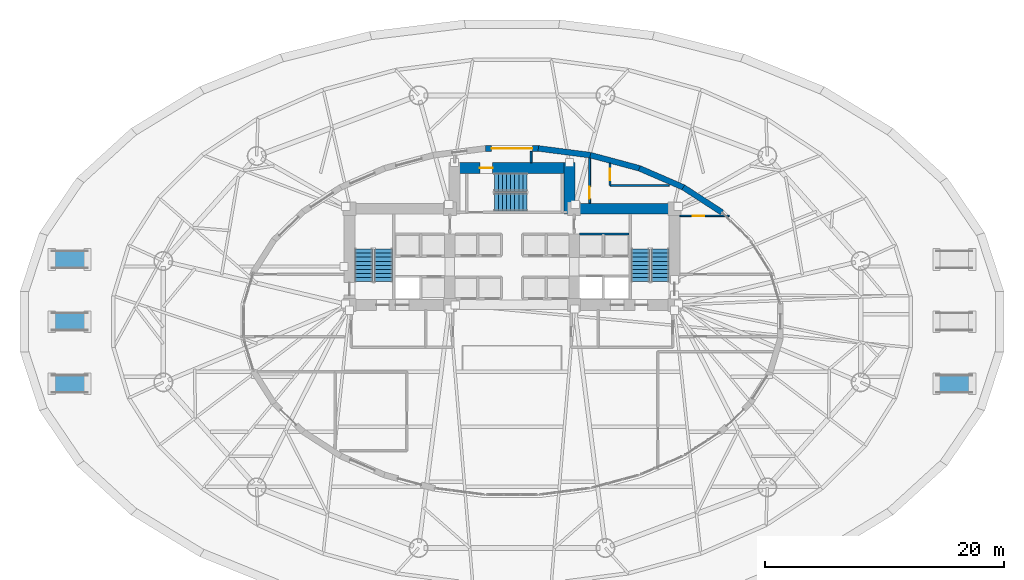
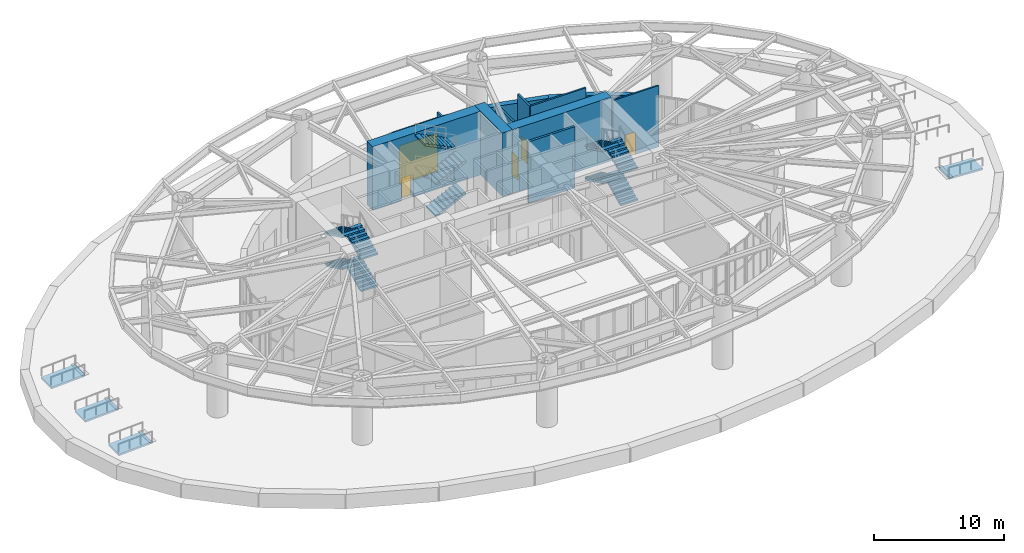
# One storey, part 16 of 21: 14 walls, 12 stair flights, 5 doors, 4 ramp flights, 5 openings, 7 elements without a shape of their own.
"""IFC4 building model written with IfcOpenShell, lengths in metres."""

from ifc_helpers import new_model, si_unit, direction, frame, frame_2d, origin, place, context, subcontext, project, spatial, polyline, rectangle, outline, extrude, material, layer, layer_set, type_object, element, fill, aggregate, save


model = new_model("IFC4")

# Units and contexts
model_context = context("Model", 3, precision=1e-05, world=origin(), true_north=direction((0.0, 1.0)))
body_context = subcontext(model_context, "Body", "Model", "MODEL_VIEW")
ifc_project = project(units=[si_unit("LENGTHUNIT", "METRE"), si_unit("AREAUNIT", "SQUARE_METRE"), si_unit("VOLUMEUNIT", "CUBIC_METRE"), si_unit("PLANEANGLEUNIT", "RADIAN"), si_unit("MASSUNIT", "GRAM", prefix="KILO")], contexts=[model_context])

# Site, building, storey
site_placement = place(None, origin())
site = spatial("IfcSite", under=ifc_project, at=site_placement, CompositionType="ELEMENT")
building_placement = place(site_placement, origin())
building = spatial("IfcBuilding", under=site, at=building_placement, Name="Keldmark Tower", CompositionType="ELEMENT")
storey_placement = place(building_placement, origin())
storey = spatial("IfcBuildingStorey", under=building, at=storey_placement, Name="L00", CompositionType="ELEMENT", Elevation=0.0)

# Wall, opening, door
ifc_material_1 = material(Name="Acoustic Gypsum Board Interior Partition", Category="gypsum")
ifc_layer_1 = layer(ifc_material_1, 0.1298828125)
ifc_layer_set_1 = layer_set([ifc_layer_1], Name="Acoustic Gypsum Board Interior Partition")
wall_type_1 = type_object("IfcWallType", Name="Interior Partition 130 mm", PredefinedType="PARTITIONING", material=ifc_layer_set_1)
wall_1_placement = place(storey_placement, frame((14.050048828125, 8.85009765625, 0.0), z_axis=(0.0, 0.0, 1.0), x_axis=(1.0, 0.0, 0.0)))
wall_1 = element("IfcWall", 1, at=wall_1_placement, inside=storey, type_object=wall_type_1, Name="L00 Interior Partition 130 mm CONCN-E-S", PredefinedType="PARTITIONING", context=body_context, shape_type="SweptSolid", body=[
    extrude(rectangle(XDim=4.114990234375, YDim=0.1298828125, at=frame_2d((2.0576171875, 0.0))), origin(), (0.0, 0.0, 1.0), 5.780029296875),
])
opening_1_placement = place(wall_1_placement, frame((1.080078125, 0.0, 0.0)))
opening_1 = element("IfcOpeningElement", 2, at=opening_1_placement, cuts=wall_1, Name="Opening D-AWC95", PredefinedType="OPENING", context=body_context, shape_type="SweptSolid", body=[
    extrude(rectangle(XDim=0.949951171875, YDim=2.14990234375, at=frame_2d((0.47509765625, 1.074951171875))), frame((0.0, 0.074951171875, 0.0), z_axis=(0.0, -1.0, 0.0), x_axis=(1.0, 0.0, 0.0)), (0.0, 0.0, 1.0), 0.14990234375),
])
ifc_material_2 = material(Name="Painted Solid-Core Architectural Wood", Category="wood")
door_type_1 = type_object("IfcDoorType", Name="Accessible WC Door 950x2150", OperationType="NOTDEFINED", PredefinedType="DOOR", material=ifc_material_2)
door_1_placement = place(opening_1_placement, origin())
door_1 = element("IfcDoor", 3, at=door_1_placement, inside=storey, type_object=door_type_1, Name="L00 Accessible WC Door 950x2150 D-CONCN-E-L00", OperationType="SINGLE_SWING_RIGHT", OverallHeight=2.14990234375, OverallWidth=0.949951171875, PredefinedType="DOOR", context=body_context, shape_type="SweptSolid", body=[
    extrude(rectangle(XDim=0.949951171875, YDim=2.14990234375, at=frame_2d((0.47509765625, 1.074951171875))), frame((0.0, 0.02490234375, 0.0), z_axis=(0.0, -1.0, 0.0), x_axis=(1.0, 0.0, 0.0)), (0.0, 0.0, 1.0), 0.050048828125),
])
fill(opening_1, door_1)

# Wall
ifc_material_3 = material(Name="Concrete C70/85", Category="concrete")
ifc_layer_2 = layer(ifc_material_3, 0.89990234375)
ifc_layer_set_2 = layer_set([ifc_layer_2], Name="Concrete C70/85")
wall_type_2 = type_object("IfcWallType", Name="Lower Core Shear Wall 900 mm", PredefinedType="SHEAR", material=ifc_layer_set_2)
wall_2_placement = place(storey_placement, frame((4.35009765625, 9.449951171875, 0.0), z_axis=(0.0, 0.0, 1.0), x_axis=(1.0, 0.0, 0.0)))
element("IfcWall", 4, at=wall_2_placement, inside=storey, type_object=wall_type_2, Name="L00 East Core North Shear Wall", PredefinedType="SHEAR", context=body_context, shape_type="SweptSolid", body=[
    extrude(rectangle(XDim=9.699951171875, YDim=0.89990234375, at=frame_2d((4.85009765625, 0.0))), origin(), (0.0, 0.0, 1.0), 6.0),
])

# Wall, opening, door
wall_3_placement = place(storey_placement, frame((-5.25, 12.85009765625, 0.0), z_axis=(0.0, 0.0, 1.0), x_axis=(1.0, 0.0, 0.0)))
wall_3 = element("IfcWall", 5, at=wall_3_placement, inside=storey, type_object=wall_type_2, Name="L00 North Core Shear Wall", PredefinedType="SHEAR", context=body_context, shape_type="SweptSolid", body=[
    extrude(rectangle(XDim=10.5, YDim=0.89990234375, at=frame_2d((5.25, 0.0))), origin(), (0.0, 0.0, 1.0), 6.0),
])
opening_2_placement = place(wall_3_placement, frame((2.570068359375, 0.0, 0.0)))
opening_2 = element("IfcOpeningElement", 6, at=opening_2_placement, cuts=wall_3, Name="Opening D-ST105", PredefinedType="OPENING", context=body_context, shape_type="SweptSolid", body=[
    extrude(rectangle(XDim=1.050048828125, YDim=2.14990234375, at=frame_2d((0.52490234375, 1.074951171875))), frame((0.0, 0.4599609375, 0.0), z_axis=(0.0, -1.0, 0.0), x_axis=(1.0, 0.0, 0.0)), (0.0, 0.0, 1.0), 0.919921875),
])
ifc_material_4 = material(Name="Hollow Metal Fire-Rated Door Assembly", Category="metal")
door_type_2 = type_object("IfcDoorType", Name="Stair Fire Door 1050x2150", OperationType="NOTDEFINED", PredefinedType="DOOR", material=ifc_material_4)
door_2_placement = place(opening_2_placement, origin())
door_2 = element("IfcDoor", 7, at=door_2_placement, inside=storey, type_object=door_type_2, Name="L00 Stair Fire Door 1050x2150 D-ST3-EXN-L00", OperationType="SINGLE_SWING_RIGHT", OverallHeight=2.14990234375, OverallWidth=1.050048828125, PredefinedType="DOOR", context=body_context, shape_type="SweptSolid", body=[
    extrude(rectangle(XDim=1.050048828125, YDim=2.14990234375, at=frame_2d((0.52490234375, 1.074951171875))), frame((0.0, 0.02490234375, 0.0), z_axis=(0.0, -1.0, 0.0), x_axis=(1.0, 0.0, 0.0)), (0.0, 0.0, 1.0), 0.050048828125),
])
fill(opening_2, door_2)

# Walls
wall_4_placement = place(storey_placement, frame((4.800048828125, 9.0, 0.0), z_axis=(0.0, 0.0, 1.0), x_axis=(0.0, 1.0, 0.0)))
element("IfcWall", 8, at=wall_4_placement, inside=storey, type_object=wall_type_2, Name="L00 North Core East Shear Wall", PredefinedType="SHEAR", context=body_context, shape_type="SweptSolid", body=[
    extrude(rectangle(XDim=4.300048828125, YDim=0.89990234375, at=frame_2d((2.14990234375, 0.0))), origin(), (0.0, 0.0, 1.0), 6.0),
])
ifc_material_5 = material(Name="Ironspot Manganese Brick and Kasota Buff Limestone Cavity Assembly", Category="masonry")
ifc_layer_3 = layer(ifc_material_5, 0.47998046875)
ifc_layer_set_3 = layer_set([ifc_layer_3], Name="Ironspot Manganese Brick and Kasota Buff Limestone Cavity Assembly")
wall_type_3 = type_object("IfcWallType", Name="Podium Brick and Limestone Cavity Wall 480 mm", PredefinedType="STANDARD", material=ifc_layer_set_3)
wall_5_placement = place(storey_placement, frame((14.33349609375, 11.2392578125, 0.0), z_axis=(0.0, 0.0, 1.0), x_axis=(0.838764450243, -0.54449444167, 0.0)))
element("IfcWall", 9, at=wall_5_placement, inside=storey, type_object=wall_type_3, Name="L00 Wintergarden Brick Pier Wall 04", PredefinedType="STANDARD", context=body_context, shape_type="SweptSolid", body=[
    extrude(rectangle(XDim=3.85791015625, YDim=0.47998046875, at=frame_2d((1.928955078125, 0.0))), origin(), (0.0, 0.0, 1.0), 4.9130859375),
])
wall_6_placement = place(storey_placement, frame((10.65234375, 12.832275390625, 0.0), z_axis=(0.0, 0.0, 1.0), x_axis=(0.917428047281, -0.3979017191, 0.0)))
element("IfcWall", 10, at=wall_6_placement, inside=storey, type_object=wall_type_3, Name="L00 Wintergarden Brick Pier Wall 05", PredefinedType="STANDARD", context=body_context, shape_type="SweptSolid", body=[
    extrude(rectangle(XDim=4.05078125, YDim=0.47998046875, at=frame_2d((2.025390625, 0.0))), origin(), (0.0, 0.0, 1.0), 4.9130859375),
])
wall_7_placement = place(storey_placement, frame((6.55615234375, 13.930908203125, 0.0), z_axis=(0.0, 0.0, 1.0), x_axis=(0.965698398437, -0.259666330619, 0.0)))
element("IfcWall", 11, at=wall_7_placement, inside=storey, type_object=wall_type_3, Name="L00 Wintergarden Brick Pier Wall 06", PredefinedType="STANDARD", context=body_context, shape_type="SweptSolid", body=[
    extrude(rectangle(XDim=4.276123046875, YDim=0.47998046875, at=frame_2d((2.13818359375, 0.0))), origin(), (0.0, 0.0, 1.0), 4.9130859375),
])
wall_8_placement = place(storey_placement, frame((2.2041015625, 14.49072265625, 0.0), z_axis=(0.0, 0.0, 1.0), x_axis=(0.99177017627, -0.128030923847, 0.0)))
element("IfcWall", 12, at=wall_8_placement, inside=storey, type_object=wall_type_3, Name="L00 Wintergarden Brick Pier Wall 07", PredefinedType="STANDARD", context=body_context, shape_type="SweptSolid", body=[
    extrude(rectangle(XDim=4.420166015625, YDim=0.47998046875, at=frame_2d((2.2099609375, 0.0))), origin(), (0.0, 0.0, 1.0), 4.9130859375),
])

# Wall, opening, door
wall_9_placement = place(storey_placement, frame((-2.23486328125, 14.48876953125, 0.0), z_axis=(0.0, 0.0, 1.0), x_axis=(1.0, 0.0, 0.0)))
wall_9 = element("IfcWall", 13, at=wall_9_placement, inside=storey, type_object=wall_type_3, Name="L00 Wintergarden Brick Pier Wall 08", PredefinedType="STANDARD", context=body_context, shape_type="SweptSolid", body=[
    extrude(rectangle(XDim=4.4697265625, YDim=0.47998046875, at=frame_2d((2.23486328125, 0.0))), origin(), (0.0, 0.0, 1.0), 4.9130859375),
])
opening_3_placement = place(wall_9_placement, frame((0.534912109375, 0.0, 0.0)))
opening_3 = element("IfcOpeningElement", 14, at=opening_3_placement, cuts=wall_9, Name="Opening GD-01", PredefinedType="OPENING", context=body_context, shape_type="SweptSolid", body=[
    extrude(rectangle(XDim=3.39990234375, YDim=3.60009765625, at=frame_2d((1.699951171875, 1.800048828125))), frame((0.0, 0.25, 0.0), z_axis=(0.0, -1.0, 0.0), x_axis=(1.0, 0.0, 0.0)), (0.0, 0.0, 1.0), 0.5),
])
ifc_material_6 = material(Name="Galvanized Insulated Metal", Category="metal")
door_type_3 = type_object("IfcDoorType", Name="Loading Dock Coiling Shutter Gate 3400x3600", OperationType="ROLLINGUP", PredefinedType="GATE", material=ifc_material_6)
door_3_placement = place(opening_3_placement, origin())
door_3 = element("IfcDoor", 15, at=door_3_placement, inside=storey, type_object=door_type_3, Name="L00 North Service Bay Coiling Shutter Gate", OperationType="ROLLINGUP", OverallHeight=3.60009765625, OverallWidth=3.39990234375, PredefinedType="GATE", context=body_context, shape_type="SweptSolid", body=[
    extrude(rectangle(XDim=3.39990234375, YDim=3.60009765625, at=frame_2d((1.699951171875, 1.800048828125))), frame((0.0, 0.02490234375, 0.0), z_axis=(0.0, -1.0, 0.0), x_axis=(1.0, 0.0, 0.0)), (0.0, 0.0, 1.0), 0.050048828125),
])
fill(opening_3, door_3)

# Wall
ifc_material_7 = material(Name="Type X Fire-Rated Gypsum Partition Assembly", Category="gypsum")
ifc_layer_4 = layer(ifc_material_7, 0.1650390625)
ifc_layer_set_4 = layer_set([ifc_layer_4], Name="Type X Fire-Rated Gypsum Partition Assembly")
wall_type_4 = type_object("IfcWallType", Name="Rated Partition 165 mm", PredefinedType="PARTITIONING", material=ifc_layer_set_4)
wall_10_placement = place(storey_placement, frame((1.60009765625, 13.31005859375, 0.0), z_axis=(0.0, 0.0, 1.0), x_axis=(0.0, 1.0, 0.0)))
element("IfcWall", 16, at=wall_10_placement, inside=storey, type_object=wall_type_4, Name="L00 Rated Partition 165 mm EXN-E", PredefinedType="PARTITIONING", context=body_context, shape_type="SweptSolid", body=[
    extrude(rectangle(XDim=0.9306640625, YDim=0.1650390625, at=frame_2d((0.46533203125, 0.0))), origin(), (0.0, 0.0, 1.0), 5.780029296875),
])

# Wall, opening, door
wall_11_placement = place(storey_placement, frame((6.5, 9.919921875, 0.0), z_axis=(0.0, 0.0, 1.0), x_axis=(0.0, 1.0, 0.0)))
wall_11 = element("IfcWall", 17, at=wall_11_placement, inside=storey, type_object=wall_type_4, Name="L00 Rated Partition 165 mm DOCK-E", PredefinedType="PARTITIONING", context=body_context, shape_type="SweptSolid", body=[
    extrude(rectangle(XDim=3.76611328125, YDim=0.1650390625, at=frame_2d((1.883056640625, 0.0))), origin(), (0.0, 0.0, 1.0), 5.14794921875),
])
opening_4_placement = place(wall_11_placement, frame((0.35009765625, 0.0, 0.0)))
opening_4 = element("IfcOpeningElement", 18, at=opening_4_placement, cuts=wall_11, Name="Opening D-FD100", PredefinedType="OPENING", context=body_context, shape_type="SweptSolid", body=[
    extrude(rectangle(XDim=1.0, YDim=2.14990234375, at=frame_2d((0.5, 1.074951171875))), frame((0.0, 0.092529296875, 0.0), z_axis=(0.0, -1.0, 0.0), x_axis=(1.0, 0.0, 0.0)), (0.0, 0.0, 1.0), 0.18505859375),
])
ifc_material_8 = material(Name="Hollow Metal Fire-Rated Corridor Door", Category="metal")
door_type_4 = type_object("IfcDoorType", Name="Fire Door 1000x2150", OperationType="NOTDEFINED", PredefinedType="DOOR", material=ifc_material_8)
door_4_placement = place(opening_4_placement, origin())
door_4 = element("IfcDoor", 19, at=door_4_placement, inside=storey, type_object=door_type_4, Name="L00 Fire Door 1000x2150 D-DOCK-E-L00", OperationType="SINGLE_SWING_RIGHT", OverallHeight=2.14990234375, OverallWidth=1.0, PredefinedType="DOOR", context=body_context, shape_type="SweptSolid", body=[
    extrude(rectangle(XDim=1.0, YDim=2.14990234375, at=frame_2d((0.5, 1.074951171875))), frame((0.0, 0.02490234375, 0.0), z_axis=(0.0, -1.0, 0.0), x_axis=(1.0, 0.0, 0.0)), (0.0, 0.0, 1.0), 0.050048828125),
])
fill(opening_4, door_4)

# Walls
ifc_material_9 = material(Name="Fire-Resistant Type X Gypsum Shaftliner Coreboard", Category="gypsum")
ifc_layer_5 = layer(ifc_material_9, 0.199951171875)
ifc_layer_set_5 = layer_set([ifc_layer_5], Name="Fire-Resistant Type X Gypsum Shaftliner Coreboard")
wall_type_5 = type_object("IfcWallType", Name="Shaft Wall 200 mm", PredefinedType="SOLIDWALL", material=ifc_layer_set_5)
wall_12_placement = place(storey_placement, frame((5.64990234375, 7.330078125, 0.0), z_axis=(0.0, 0.0, 1.0), x_axis=(1.0, 0.0, 0.0)))
element("IfcWall", 20, at=wall_12_placement, inside=storey, type_object=wall_type_5, Name="L00 Shaft Wall 200 mm HW-E-TOP", PredefinedType="SOLIDWALL", context=body_context, shape_type="SweptSolid", body=[
    extrude(rectangle(XDim=4.130126953125, YDim=0.199951171875, at=frame_2d((2.06494140625, 0.0))), origin(), (0.0, 0.0, 1.0), 5.780029296875),
])
ifc_material_10 = material(Name="Moisture-Resistant Gypsum Plumbing Partition", Category="gypsum")
ifc_layer_6 = layer(ifc_material_10, 0.14990234375)
ifc_layer_set_6 = layer_set([ifc_layer_6], Name="Moisture-Resistant Gypsum Plumbing Partition")
wall_type_6 = type_object("IfcWallType", Name="Wet Wall 150 mm", PredefinedType="PLUMBINGWALL", material=ifc_layer_set_6)
wall_13_placement = place(storey_placement, frame((8.199951171875, 11.39990234375, 0.0), z_axis=(0.0, 0.0, 1.0), x_axis=(1.0, 0.0, 0.0)))
element("IfcWall", 21, at=wall_13_placement, inside=storey, type_object=wall_type_6, Name="L00 Wet Wall 150 mm WC-L00-S", PredefinedType="PLUMBINGWALL", context=body_context, shape_type="SweptSolid", body=[
    extrude(rectangle(XDim=4.94287109375, YDim=0.14990234375, at=frame_2d((2.471435546875, 0.0))), origin(), (0.0, 0.0, 1.0), 5.780029296875),
])

# Wall, opening, door
wall_14_placement = place(storey_placement, frame((8.199951171875, 11.39990234375, 0.0), z_axis=(0.0, 0.0, 1.0), x_axis=(0.0, 1.0, 0.0)))
wall_14 = element("IfcWall", 22, at=wall_14_placement, inside=storey, type_object=wall_type_6, Name="L00 Wet Wall 150 mm WC-L00-W", PredefinedType="PLUMBINGWALL", context=body_context, shape_type="SweptSolid", body=[
    extrude(rectangle(XDim=1.832275390625, YDim=0.14990234375, at=frame_2d((0.916015625, 0.0))), origin(), (0.0, 0.0, 1.0), 5.780029296875),
])
opening_5_placement = place(wall_14_placement, frame((0.449951171875, 0.0, 0.0)))
opening_5 = element("IfcOpeningElement", 23, at=opening_5_placement, cuts=wall_14, Name="Opening D-AWC95", PredefinedType="OPENING", context=body_context, shape_type="SweptSolid", body=[
    extrude(rectangle(XDim=0.949951171875, YDim=2.14990234375, at=frame_2d((0.47509765625, 1.074951171875))), frame((0.0, 0.0849609375, 0.0), z_axis=(0.0, -1.0, 0.0), x_axis=(1.0, 0.0, 0.0)), (0.0, 0.0, 1.0), 0.169921875),
])
door_5_placement = place(opening_5_placement, origin())
door_5 = element("IfcDoor", 24, at=door_5_placement, inside=storey, type_object=door_type_1, Name="L00 Accessible WC Door 950x2150 D-WCL00-L00", OperationType="SINGLE_SWING_RIGHT", OverallHeight=2.14990234375, OverallWidth=0.949951171875, PredefinedType="DOOR", context=body_context, shape_type="SweptSolid", body=[
    extrude(rectangle(XDim=0.949951171875, YDim=2.14990234375, at=frame_2d((0.47509765625, 1.074951171875))), frame((0.0, 0.02490234375, 0.0), z_axis=(0.0, -1.0, 0.0), x_axis=(1.0, 0.0, 0.0)), (0.0, 0.0, 1.0), 0.050048828125),
])
fill(opening_5, door_5)

# Stair, stair flights
ifc_material_11 = material(Name="Concrete C40/50", Category="concrete")
stair_type = type_object("IfcStairType", Name="Precast Concrete Core Exit Stair", PredefinedType="HALF_TURN_STAIR", material=ifc_material_11)
stair_1_placement = place(storey_placement, origin())
stair_1 = element("IfcStair", 25, at=stair_1_placement, inside=storey, type_object=stair_type, Name="L00 Exit Stair ST1", PredefinedType="HALF_TURN_STAIR")
ifc_material_12 = material(Name="Concrete C40/50", Category="concrete")
stair_flight_type = type_object("IfcStairFlightType", Name="Precast Concrete Stair Flight 1500 mm", PredefinedType="STRAIGHT", material=ifc_material_12)
stair_flight_1_placement = place(storey_placement, frame((-10.75, 3.35009765625, 0.0), z_axis=(0.0, 0.0, 1.0), x_axis=(0.0, 1.0, 0.0)))
stair_flight_1 = element("IfcStairFlight", 26, at=stair_flight_1_placement, type_object=stair_flight_type, Name="ST1 flight 1", NumberOfRisers=9, NumberOfTreads=8, PredefinedType="STRAIGHT", RiserHeight=0.166666667, TreadLength=0.34, context=body_context, shape_type="SweptSolid", body=[
    extrude(outline(polyline([(0.0, 0.0), (0.0, 0.166748046875), (0.340087890625, 0.166748046875), (0.340087890625, 0.333251953125), (0.679931640625, 0.333251953125), (0.679931640625, 0.5), (1.02001953125, 0.5), (1.02001953125, 0.666748046875), (1.360107421875, 0.666748046875), (1.360107421875, 0.833251953125), (1.699951171875, 0.833251953125), (1.699951171875, 1.0), (2.0400390625, 1.0), (2.0400390625, 1.166748046875), (2.3798828125, 1.166748046875), (2.3798828125, 1.333251953125), (2.719970703125, 1.333251953125), (2.719970703125, 1.5), (2.719970703125, 1.16650390625), (0.340576171875, 0.0), (0.0, 0.0)])), frame((0.0, 0.75, 0.0), z_axis=(0.0, -1.0, 0.0), x_axis=(1.0, 0.0, 0.0)), (0.0, 0.0, 1.0), 1.5),
])
stair_flight_2_placement = place(storey_placement, frame((-12.39990234375, 6.070068359375, 1.5), z_axis=(0.0, 0.0, 1.0), x_axis=(0.0, -1.0, 0.0)))
stair_flight_2 = element("IfcStairFlight", 27, at=stair_flight_2_placement, type_object=stair_flight_type, Name="ST1 flight 2", NumberOfRisers=9, NumberOfTreads=8, PredefinedType="STRAIGHT", RiserHeight=0.166666667, TreadLength=0.34, context=body_context, shape_type="SweptSolid", body=[
    extrude(outline(polyline([(0.0, 0.0), (0.0, 0.166748046875), (0.340087890625, 0.166748046875), (0.340087890625, 0.333251953125), (0.679931640625, 0.333251953125), (0.679931640625, 0.5), (1.02001953125, 0.5), (1.02001953125, 0.666748046875), (1.360107421875, 0.666748046875), (1.360107421875, 0.833251953125), (1.699951171875, 0.833251953125), (1.699951171875, 1.0), (2.0400390625, 1.0), (2.0400390625, 1.166748046875), (2.3798828125, 1.166748046875), (2.3798828125, 1.333251953125), (2.719970703125, 1.333251953125), (2.719970703125, 1.5), (2.719970703125, 1.16650390625), (0.340576171875, 0.0), (0.0, 0.0)])), frame((0.0, 0.75, 0.0), z_axis=(0.0, -1.0, 0.0), x_axis=(1.0, 0.0, 0.0)), (0.0, 0.0, 1.0), 1.5),
])
stair_flight_3_placement = place(storey_placement, frame((-10.75, 3.35009765625, 3.0), z_axis=(0.0, 0.0, 1.0), x_axis=(0.0, 1.0, 0.0)))
stair_flight_3 = element("IfcStairFlight", 28, at=stair_flight_3_placement, type_object=stair_flight_type, Name="ST1 flight 3", NumberOfRisers=9, NumberOfTreads=8, PredefinedType="STRAIGHT", RiserHeight=0.166666667, TreadLength=0.34, context=body_context, shape_type="SweptSolid", body=[
    extrude(outline(polyline([(0.0, 0.0), (0.0, 0.166748046875), (0.340087890625, 0.166748046875), (0.340087890625, 0.333251953125), (0.679931640625, 0.333251953125), (0.679931640625, 0.5), (1.02001953125, 0.5), (1.02001953125, 0.666748046875), (1.360107421875, 0.666748046875), (1.360107421875, 0.833251953125), (1.699951171875, 0.833251953125), (1.699951171875, 1.0), (2.0400390625, 1.0), (2.0400390625, 1.166748046875), (2.3798828125, 1.166748046875), (2.3798828125, 1.333251953125), (2.719970703125, 1.333251953125), (2.719970703125, 1.5), (2.719970703125, 1.16650390625), (0.340576171875, 0.0), (0.0, 0.0)])), frame((0.0, 0.75, 0.0), z_axis=(0.0, -1.0, 0.0), x_axis=(1.0, 0.0, 0.0)), (0.0, 0.0, 1.0), 1.5),
])
stair_flight_4_placement = place(storey_placement, frame((-12.39990234375, 6.070068359375, 4.5), z_axis=(0.0, 0.0, 1.0), x_axis=(0.0, -1.0, 0.0)))
stair_flight_4 = element("IfcStairFlight", 29, at=stair_flight_4_placement, type_object=stair_flight_type, Name="ST1 flight 4", NumberOfRisers=9, NumberOfTreads=8, PredefinedType="STRAIGHT", RiserHeight=0.166666667, TreadLength=0.34, context=body_context, shape_type="SweptSolid", body=[
    extrude(outline(polyline([(0.0, 0.0), (0.0, 0.166748046875), (0.340087890625, 0.166748046875), (0.340087890625, 0.333251953125), (0.679931640625, 0.333251953125), (0.679931640625, 0.5), (1.02001953125, 0.5), (1.02001953125, 0.666748046875), (1.360107421875, 0.666748046875), (1.360107421875, 0.833251953125), (1.699951171875, 0.833251953125), (1.699951171875, 1.0), (2.0400390625, 1.0), (2.0400390625, 1.166748046875), (2.3798828125, 1.166748046875), (2.3798828125, 1.333251953125), (2.719970703125, 1.333251953125), (2.719970703125, 1.5), (2.719970703125, 1.16650390625), (0.340576171875, 0.0), (0.0, 0.0)])), frame((0.0, 0.75, 0.0), z_axis=(0.0, -1.0, 0.0), x_axis=(1.0, 0.0, 0.0)), (0.0, 0.0, 1.0), 1.5),
])
aggregate(stair_1, [stair_flight_1, stair_flight_2, stair_flight_3, stair_flight_4])

stair_2_placement = place(storey_placement, origin())
stair_2 = element("IfcStair", 30, at=stair_2_placement, inside=storey, type_object=stair_type, Name="L00 Exit Stair ST2", PredefinedType="HALF_TURN_STAIR")
stair_flight_5_placement = place(storey_placement, frame((12.39990234375, 3.35009765625, 0.0), z_axis=(0.0, 0.0, 1.0), x_axis=(0.0, 1.0, 0.0)))
stair_flight_5 = element("IfcStairFlight", 31, at=stair_flight_5_placement, type_object=stair_flight_type, Name="ST2 flight 1", NumberOfRisers=9, NumberOfTreads=8, PredefinedType="STRAIGHT", RiserHeight=0.166666667, TreadLength=0.34, context=body_context, shape_type="SweptSolid", body=[
    extrude(outline(polyline([(0.0, 0.0), (0.0, 0.166748046875), (0.340087890625, 0.166748046875), (0.340087890625, 0.333251953125), (0.679931640625, 0.333251953125), (0.679931640625, 0.5), (1.02001953125, 0.5), (1.02001953125, 0.666748046875), (1.360107421875, 0.666748046875), (1.360107421875, 0.833251953125), (1.699951171875, 0.833251953125), (1.699951171875, 1.0), (2.0400390625, 1.0), (2.0400390625, 1.166748046875), (2.3798828125, 1.166748046875), (2.3798828125, 1.333251953125), (2.719970703125, 1.333251953125), (2.719970703125, 1.5), (2.719970703125, 1.16650390625), (0.340576171875, 0.0), (0.0, 0.0)])), frame((0.0, 0.75, 0.0), z_axis=(0.0, -1.0, 0.0), x_axis=(1.0, 0.0, 0.0)), (0.0, 0.0, 1.0), 1.5),
])
stair_flight_6_placement = place(storey_placement, frame((10.75, 6.070068359375, 1.5), z_axis=(0.0, 0.0, 1.0), x_axis=(0.0, -1.0, 0.0)))
stair_flight_6 = element("IfcStairFlight", 32, at=stair_flight_6_placement, type_object=stair_flight_type, Name="ST2 flight 2", NumberOfRisers=9, NumberOfTreads=8, PredefinedType="STRAIGHT", RiserHeight=0.166666667, TreadLength=0.34, context=body_context, shape_type="SweptSolid", body=[
    extrude(outline(polyline([(0.0, 0.0), (0.0, 0.166748046875), (0.340087890625, 0.166748046875), (0.340087890625, 0.333251953125), (0.679931640625, 0.333251953125), (0.679931640625, 0.5), (1.02001953125, 0.5), (1.02001953125, 0.666748046875), (1.360107421875, 0.666748046875), (1.360107421875, 0.833251953125), (1.699951171875, 0.833251953125), (1.699951171875, 1.0), (2.0400390625, 1.0), (2.0400390625, 1.166748046875), (2.3798828125, 1.166748046875), (2.3798828125, 1.333251953125), (2.719970703125, 1.333251953125), (2.719970703125, 1.5), (2.719970703125, 1.16650390625), (0.340576171875, 0.0), (0.0, 0.0)])), frame((0.0, 0.75, 0.0), z_axis=(0.0, -1.0, 0.0), x_axis=(1.0, 0.0, 0.0)), (0.0, 0.0, 1.0), 1.5),
])
stair_flight_7_placement = place(storey_placement, frame((12.39990234375, 3.35009765625, 3.0), z_axis=(0.0, 0.0, 1.0), x_axis=(0.0, 1.0, 0.0)))
stair_flight_7 = element("IfcStairFlight", 33, at=stair_flight_7_placement, type_object=stair_flight_type, Name="ST2 flight 3", NumberOfRisers=9, NumberOfTreads=8, PredefinedType="STRAIGHT", RiserHeight=0.166666667, TreadLength=0.34, context=body_context, shape_type="SweptSolid", body=[
    extrude(outline(polyline([(0.0, 0.0), (0.0, 0.166748046875), (0.340087890625, 0.166748046875), (0.340087890625, 0.333251953125), (0.679931640625, 0.333251953125), (0.679931640625, 0.5), (1.02001953125, 0.5), (1.02001953125, 0.666748046875), (1.360107421875, 0.666748046875), (1.360107421875, 0.833251953125), (1.699951171875, 0.833251953125), (1.699951171875, 1.0), (2.0400390625, 1.0), (2.0400390625, 1.166748046875), (2.3798828125, 1.166748046875), (2.3798828125, 1.333251953125), (2.719970703125, 1.333251953125), (2.719970703125, 1.5), (2.719970703125, 1.16650390625), (0.340576171875, 0.0), (0.0, 0.0)])), frame((0.0, 0.75, 0.0), z_axis=(0.0, -1.0, 0.0), x_axis=(1.0, 0.0, 0.0)), (0.0, 0.0, 1.0), 1.5),
])
stair_flight_8_placement = place(storey_placement, frame((10.75, 6.070068359375, 4.5), z_axis=(0.0, 0.0, 1.0), x_axis=(0.0, -1.0, 0.0)))
stair_flight_8 = element("IfcStairFlight", 34, at=stair_flight_8_placement, type_object=stair_flight_type, Name="ST2 flight 4", NumberOfRisers=9, NumberOfTreads=8, PredefinedType="STRAIGHT", RiserHeight=0.166666667, TreadLength=0.34, context=body_context, shape_type="SweptSolid", body=[
    extrude(outline(polyline([(0.0, 0.0), (0.0, 0.166748046875), (0.340087890625, 0.166748046875), (0.340087890625, 0.333251953125), (0.679931640625, 0.333251953125), (0.679931640625, 0.5), (1.02001953125, 0.5), (1.02001953125, 0.666748046875), (1.360107421875, 0.666748046875), (1.360107421875, 0.833251953125), (1.699951171875, 0.833251953125), (1.699951171875, 1.0), (2.0400390625, 1.0), (2.0400390625, 1.166748046875), (2.3798828125, 1.166748046875), (2.3798828125, 1.333251953125), (2.719970703125, 1.333251953125), (2.719970703125, 1.5), (2.719970703125, 1.16650390625), (0.340576171875, 0.0), (0.0, 0.0)])), frame((0.0, 0.75, 0.0), z_axis=(0.0, -1.0, 0.0), x_axis=(1.0, 0.0, 0.0)), (0.0, 0.0, 1.0), 1.5),
])
aggregate(stair_2, [stair_flight_5, stair_flight_6, stair_flight_7, stair_flight_8])

stair_3_placement = place(storey_placement, origin())
stair_3 = element("IfcStair", 35, at=stair_3_placement, inside=storey, type_object=stair_type, Name="L00 Exit Stair ST3", PredefinedType="HALF_TURN_STAIR")
stair_flight_9_placement = place(storey_placement, frame((-1.47509765625, 10.0, 0.0), z_axis=(0.0, 0.0, 1.0), x_axis=(1.0, 0.0, 0.0)))
stair_flight_9 = element("IfcStairFlight", 36, at=stair_flight_9_placement, type_object=stair_flight_type, Name="ST3 flight 1", NumberOfRisers=9, NumberOfTreads=8, PredefinedType="STRAIGHT", RiserHeight=0.166666667, TreadLength=0.34, context=body_context, shape_type="SweptSolid", body=[
    extrude(outline(polyline([(0.0, 0.0), (0.0, 0.166748046875), (0.340087890625, 0.166748046875), (0.340087890625, 0.333251953125), (0.679931640625, 0.333251953125), (0.679931640625, 0.5), (1.02001953125, 0.5), (1.02001953125, 0.666748046875), (1.360107421875, 0.666748046875), (1.360107421875, 0.833251953125), (1.699951171875, 0.833251953125), (1.699951171875, 1.0), (2.0400390625, 1.0), (2.0400390625, 1.166748046875), (2.3798828125, 1.166748046875), (2.3798828125, 1.333251953125), (2.719970703125, 1.333251953125), (2.719970703125, 1.5), (2.719970703125, 1.16650390625), (0.340576171875, 0.0), (0.0, 0.0)])), frame((0.0, 0.75, 0.0), z_axis=(0.0, -1.0, 0.0), x_axis=(1.0, 0.0, 0.0)), (0.0, 0.0, 1.0), 1.5),
])
stair_flight_10_placement = place(storey_placement, frame((1.2451171875, 11.64990234375, 1.5), z_axis=(0.0, 0.0, 1.0), x_axis=(-1.0, 0.0, 0.0)))
stair_flight_10 = element("IfcStairFlight", 37, at=stair_flight_10_placement, type_object=stair_flight_type, Name="ST3 flight 2", NumberOfRisers=9, NumberOfTreads=8, PredefinedType="STRAIGHT", RiserHeight=0.166666667, TreadLength=0.34, context=body_context, shape_type="SweptSolid", body=[
    extrude(outline(polyline([(0.0, 0.0), (0.0, 0.166748046875), (0.340087890625, 0.166748046875), (0.340087890625, 0.333251953125), (0.679931640625, 0.333251953125), (0.679931640625, 0.5), (1.02001953125, 0.5), (1.02001953125, 0.666748046875), (1.360107421875, 0.666748046875), (1.360107421875, 0.833251953125), (1.699951171875, 0.833251953125), (1.699951171875, 1.0), (2.0400390625, 1.0), (2.0400390625, 1.166748046875), (2.3798828125, 1.166748046875), (2.3798828125, 1.333251953125), (2.719970703125, 1.333251953125), (2.719970703125, 1.5), (2.719970703125, 1.16650390625), (0.340576171875, 0.0), (0.0, 0.0)])), frame((0.0, 0.75, 0.0), z_axis=(0.0, -1.0, 0.0), x_axis=(1.0, 0.0, 0.0)), (0.0, 0.0, 1.0), 1.5),
])
stair_flight_11_placement = place(storey_placement, frame((-1.47509765625, 10.0, 3.0), z_axis=(0.0, 0.0, 1.0), x_axis=(1.0, 0.0, 0.0)))
stair_flight_11 = element("IfcStairFlight", 38, at=stair_flight_11_placement, type_object=stair_flight_type, Name="ST3 flight 3", NumberOfRisers=9, NumberOfTreads=8, PredefinedType="STRAIGHT", RiserHeight=0.166666667, TreadLength=0.34, context=body_context, shape_type="SweptSolid", body=[
    extrude(outline(polyline([(0.0, 0.0), (0.0, 0.166748046875), (0.340087890625, 0.166748046875), (0.340087890625, 0.333251953125), (0.679931640625, 0.333251953125), (0.679931640625, 0.5), (1.02001953125, 0.5), (1.02001953125, 0.666748046875), (1.360107421875, 0.666748046875), (1.360107421875, 0.833251953125), (1.699951171875, 0.833251953125), (1.699951171875, 1.0), (2.0400390625, 1.0), (2.0400390625, 1.166748046875), (2.3798828125, 1.166748046875), (2.3798828125, 1.333251953125), (2.719970703125, 1.333251953125), (2.719970703125, 1.5), (2.719970703125, 1.16650390625), (0.340576171875, 0.0), (0.0, 0.0)])), frame((0.0, 0.75, 0.0), z_axis=(0.0, -1.0, 0.0), x_axis=(1.0, 0.0, 0.0)), (0.0, 0.0, 1.0), 1.5),
])
stair_flight_12_placement = place(storey_placement, frame((1.2451171875, 11.64990234375, 4.5), z_axis=(0.0, 0.0, 1.0), x_axis=(-1.0, 0.0, 0.0)))
stair_flight_12 = element("IfcStairFlight", 39, at=stair_flight_12_placement, type_object=stair_flight_type, Name="ST3 flight 4", NumberOfRisers=9, NumberOfTreads=8, PredefinedType="STRAIGHT", RiserHeight=0.166666667, TreadLength=0.34, context=body_context, shape_type="SweptSolid", body=[
    extrude(outline(polyline([(0.0, 0.0), (0.0, 0.166748046875), (0.340087890625, 0.166748046875), (0.340087890625, 0.333251953125), (0.679931640625, 0.333251953125), (0.679931640625, 0.5), (1.02001953125, 0.5), (1.02001953125, 0.666748046875), (1.360107421875, 0.666748046875), (1.360107421875, 0.833251953125), (1.699951171875, 0.833251953125), (1.699951171875, 1.0), (2.0400390625, 1.0), (2.0400390625, 1.166748046875), (2.3798828125, 1.166748046875), (2.3798828125, 1.333251953125), (2.719970703125, 1.333251953125), (2.719970703125, 1.5), (2.719970703125, 1.16650390625), (0.340576171875, 0.0), (0.0, 0.0)])), frame((0.0, 0.75, 0.0), z_axis=(0.0, -1.0, 0.0), x_axis=(1.0, 0.0, 0.0)), (0.0, 0.0, 1.0), 1.5),
])
aggregate(stair_3, [stair_flight_9, stair_flight_10, stair_flight_11, stair_flight_12])

# Ramp, ramp flight
ifc_material_13 = material(Name="Broom-Finished Heated Concrete C35/45", Category="concrete")
ramp_type = type_object("IfcRampType", Name="Plaza Accessible Curb Ramp Assembly", PredefinedType="STRAIGHT_RUN_RAMP", material=ifc_material_13)
ramp_1_placement = place(storey_placement, origin())
ramp_1 = element("IfcRamp", 40, at=ramp_1_placement, inside=storey, type_object=ramp_type, Name="L00 Accessible Curb Ramp RMP-L00-W1", PredefinedType="STRAIGHT_RUN_RAMP")
ifc_material_14 = material(Name="Broom-Finished Heated Concrete C35/45", Category="concrete")
ifc_layer_7 = layer(ifc_material_14, 0.179931640625)
ifc_layer_set_7 = layer_set([ifc_layer_7], Name="Broom-Finished Heated Concrete C35/45")
ramp_flight_type = type_object("IfcRampFlightType", Name="Plaza Accessible Ramp Flight 1:20", PredefinedType="STRAIGHT", material=ifc_layer_set_7)
ramp_flight_1_placement = place(storey_placement, frame((-38.5, -6.0, -0.14990234375), z_axis=(-0.049905186472, 0.0, 0.998753959874), x_axis=(0.998753959874, 0.0, 0.049905186472)))
ramp_flight_1 = element("IfcRampFlight", 41, at=ramp_flight_1_placement, type_object=ramp_flight_type, Name="L00 Accessible Ramp Flight W1", PredefinedType="STRAIGHT", context=body_context, shape_type="SweptSolid", body=[
    extrude(outline(polyline([(0.0, 0.0), (3.003742784038231, 0.0), (3.003742784038231, 1.60009765625), (0.0, 1.60009765625), (0.0, 0.0)])), origin(), (0.0, 0.0, -1.0), 0.179931640625),
])
aggregate(ramp_1, [ramp_flight_1])

ramp_2_placement = place(storey_placement, origin())
ramp_2 = element("IfcRamp", 42, at=ramp_2_placement, inside=storey, type_object=ramp_type, Name="L00 Accessible Curb Ramp RMP-L00-W2", PredefinedType="STRAIGHT_RUN_RAMP")
ramp_flight_2_placement = place(storey_placement, frame((-38.5, -0.800048828125, -0.14990234375), z_axis=(-0.049905186472, 0.0, 0.998753959874), x_axis=(0.998753959874, 0.0, 0.049905186472)))
ramp_flight_2 = element("IfcRampFlight", 43, at=ramp_flight_2_placement, type_object=ramp_flight_type, Name="L00 Accessible Ramp Flight W2", PredefinedType="STRAIGHT", context=body_context, shape_type="SweptSolid", body=[
    extrude(outline(polyline([(0.0, 0.0), (3.003742784038231, 0.0), (3.003742784038231, 1.60009765625), (0.0, 1.60009765625), (0.0, 0.0)])), origin(), (0.0, 0.0, -1.0), 0.179931640625),
])
aggregate(ramp_2, [ramp_flight_2])

ramp_3_placement = place(storey_placement, origin())
ramp_3 = element("IfcRamp", 44, at=ramp_3_placement, inside=storey, type_object=ramp_type, Name="L00 Accessible Curb Ramp RMP-L00-W3", PredefinedType="STRAIGHT_RUN_RAMP")
ramp_flight_3_placement = place(storey_placement, frame((-38.5, 4.39990234375, -0.14990234375), z_axis=(-0.049905186472, 0.0, 0.998753959874), x_axis=(0.998753959874, 0.0, 0.049905186472)))
ramp_flight_3 = element("IfcRampFlight", 45, at=ramp_flight_3_placement, type_object=ramp_flight_type, Name="L00 Accessible Ramp Flight W3", PredefinedType="STRAIGHT", context=body_context, shape_type="SweptSolid", body=[
    extrude(outline(polyline([(0.0, 0.0), (3.003742784038231, 0.0), (3.003742784038231, 1.60009765625), (0.0, 1.60009765625), (0.0, 0.0)])), origin(), (0.0, 0.0, -1.0), 0.179931640625),
])
aggregate(ramp_3, [ramp_flight_3])

ramp_4_placement = place(storey_placement, origin())
ramp_4 = element("IfcRamp", 46, at=ramp_4_placement, inside=storey, type_object=ramp_type, Name="L00 Accessible Curb Ramp RMP-L00-E1", PredefinedType="STRAIGHT_RUN_RAMP")
ramp_flight_4_placement = place(storey_placement, frame((38.5, -4.39990234375, -0.14990234375), z_axis=(0.049905186472, 0.0, 0.998753959874), x_axis=(-0.998753959874, 0.0, 0.049905186472)))
ramp_flight_4 = element("IfcRampFlight", 47, at=ramp_flight_4_placement, type_object=ramp_flight_type, Name="L00 Accessible Ramp Flight E1", PredefinedType="STRAIGHT", context=body_context, shape_type="SweptSolid", body=[
    extrude(outline(polyline([(0.0, 0.0), (3.003742784038231, 0.0), (3.003742784038231, 1.60009765625), (0.0, 1.60009765625), (0.0, 0.0)])), origin(), (0.0, 0.0, -1.0), 0.179931640625),
])
aggregate(ramp_4, [ramp_flight_4])

save(model, "model.ifc")
